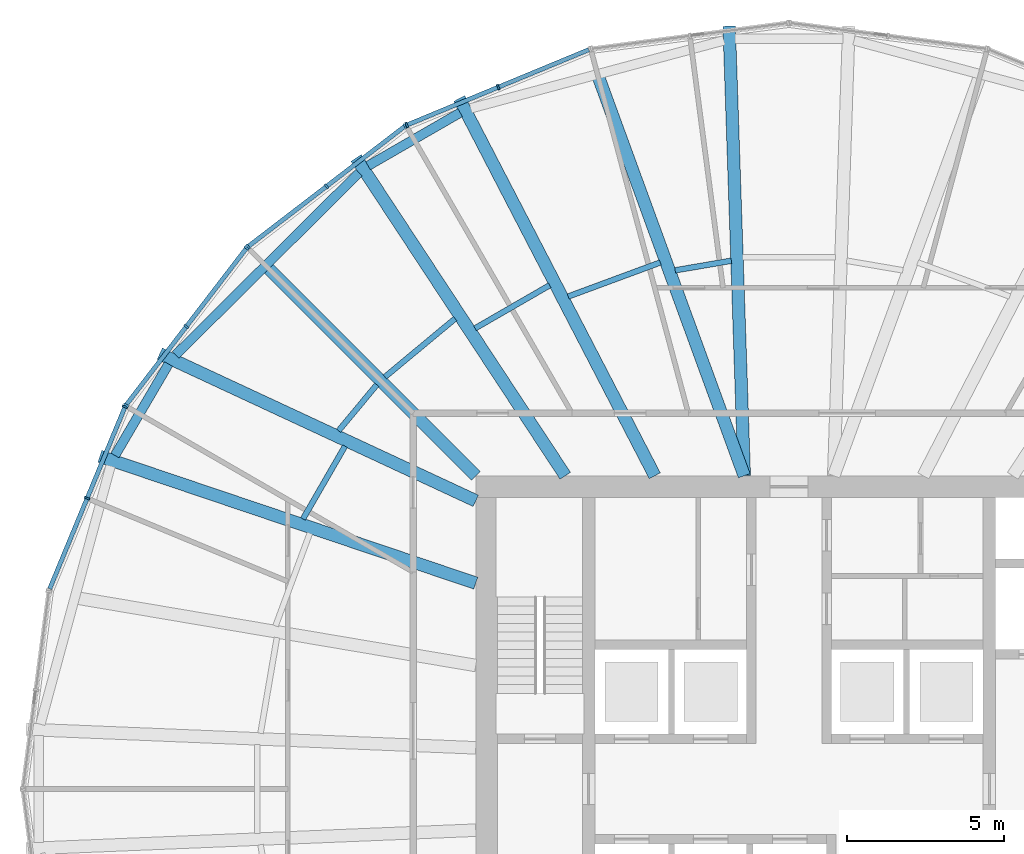
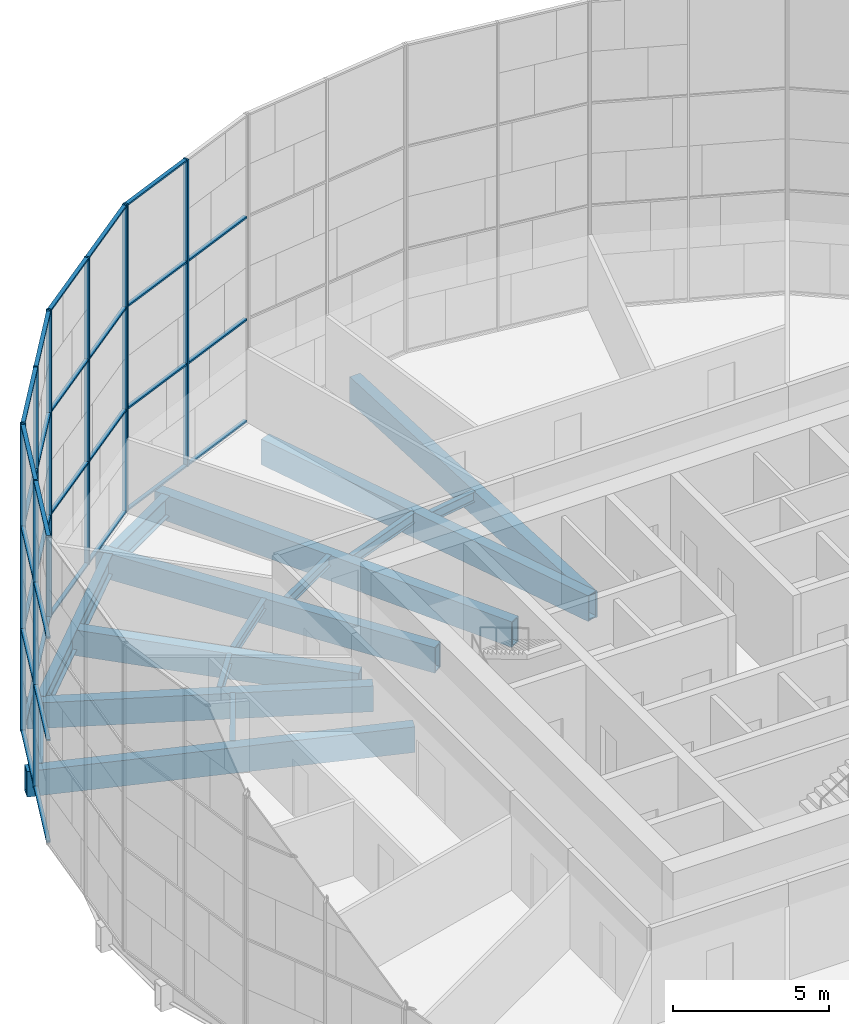
# One storey, part 6 of 22: 41 members, 16 beams, 4 elements without a shape of their own.
"""IFC4 building model written with IfcOpenShell, lengths in metres."""

import ifcopenshell
import ifcopenshell.guid

model = None  # the IFC model being written
_history = None  # IfcOwnerHistory: only IFC2X3 demands one
_inside = {}  # id of a spatial element -> (the spatial element, [elements in it])
_under = {}  # id of a project, library or spatial element -> (it, [spatial elements below it])
_declared = {}  # id of a project -> (the project, [libraries it declares])
_typed = {}  # id of a type object -> (the type object, [elements of that type])
_made_of = {}  # id of a material, layer set ... -> (it, [elements and type objects made of it])


def new_model(schema):
    """Start an empty IFC model of exactly this schema.

    Asked for "IFC4X3", IfcOpenShell would pick the latest addendum, in which some entities
    have other attributes; the version numbers below select the first issue.
    IFC2X3 requires an IfcOwnerHistory on every rooted entity: one is made here for all.
    """
    global model, _history
    if schema == "IFC4X3":
        model = ifcopenshell.file(schema_version=(4, 3, 0, 0))
    else:
        model = ifcopenshell.file(schema=schema)
    _inside.clear()
    _under.clear()
    _declared.clear()
    _typed.clear()
    _made_of.clear()
    _history = None
    if model.schema == "IFC2X3":
        org = make("IfcOrganization", Name="unknown")
        user = make(
            "IfcPersonAndOrganization",
            ThePerson=make("IfcPerson", FamilyName="unknown"),
            TheOrganization=org,
        )
        app = make(
            "IfcApplication",
            ApplicationDeveloper=org,
            Version="unknown",
            ApplicationFullName="unknown",
            ApplicationIdentifier="unknown",
        )
        _history = make(
            "IfcOwnerHistory",
            OwningUser=user,
            OwningApplication=app,
            ChangeAction="ADDED",
            CreationDate=0,
        )
    return model


def make(cls, **values):
    """One entity of the class cls with the attributes given. An attribute that is None is left unset."""
    return model.create_entity(
        cls, **{name: value for name, value in values.items() if value is not None}
    )


def rooted(cls, **values):
    """An entity with a GlobalId (a new one), such as an element, a storey or a relation."""
    return make(cls, GlobalId=ifcopenshell.guid.new(), OwnerHistory=_history, **values)


def si_unit(unit_type, name, prefix=None):
    """IfcSIUnit, for example si_unit("LENGTHUNIT", "METRE", prefix="MILLI")."""
    return make("IfcSIUnit", UnitType=unit_type, Prefix=prefix, Name=name)


def assignment(units):
    """IfcUnitAssignment: the units of a project."""
    return None if units is None else make("IfcUnitAssignment", Units=units)


def point(xyz):
    """IfcCartesianPoint."""
    return None if xyz is None else make("IfcCartesianPoint", Coordinates=xyz)


def direction(xyz):
    """IfcDirection."""
    return None if xyz is None else make("IfcDirection", DirectionRatios=xyz)


def frame(location, z_axis=None, x_axis=None):
    """IfcAxis2Placement3D, a coordinate frame: its origin and axes. An axis left out is left unset."""
    return make(
        "IfcAxis2Placement3D",
        Location=point(location),
        Axis=direction(z_axis),
        RefDirection=direction(x_axis),
    )


def frame_2d(location, x_axis=None):
    """IfcAxis2Placement2D, a coordinate frame in the plane: its origin and x axis."""
    return make(
        "IfcAxis2Placement2D", Location=point(location), RefDirection=direction(x_axis)
    )


def origin():
    """The frame at (0, 0, 0) with its axes left unset."""
    return frame((0.0, 0.0, 0.0))


def origin_2d():
    """The frame at (0, 0) in the plane with its x axis left unset."""
    return frame_2d((0.0, 0.0))


def place(relative_to, where):
    """IfcLocalPlacement: puts the frame where relative to a parent placement (None: the world)."""
    return make(
        "IfcLocalPlacement", PlacementRelTo=relative_to, RelativePlacement=where
    )


def context(
    kind, dimensions, precision=None, world=None, true_north=None, identifier=None
):
    """IfcGeometricRepresentationContext, for example the 3D "Model" context."""
    return make(
        "IfcGeometricRepresentationContext",
        ContextIdentifier=identifier,
        ContextType=kind,
        CoordinateSpaceDimension=dimensions,
        Precision=precision,
        WorldCoordinateSystem=world,
        TrueNorth=true_north,
    )


def subcontext(parent, identifier, kind, view, scale=None):
    """IfcGeometricRepresentationSubContext, for example "Body" below "Model"."""
    return make(
        "IfcGeometricRepresentationSubContext",
        ContextIdentifier=identifier,
        ContextType=kind,
        ParentContext=parent,
        TargetScale=scale,
        TargetView=view,
    )


def project(units=None, contexts=None):
    """IfcProject with its units and contexts."""
    return rooted(
        "IfcProject",
        Name="project",
        RepresentationContexts=contexts,
        UnitsInContext=assignment(units),
    )


def spatial(cls, under=None, at=None, **own):
    """A site, building, storey or space (cls), placed at a placement, below another one or the project."""
    s = rooted(cls, ObjectPlacement=at, **own)
    if under is not None:
        _under.setdefault(under.id(), (under, []))[1].append(s)
    return s


def profile(cls, at=None, kind="AREA", **sizes):
    """A parametric profile (cls). Its sizes go by their IFC names, for example OverallWidth=200.0."""
    return make(cls, ProfileType=kind, Position=at, **sizes)


def rectangle(**sizes):
    """IfcRectangleProfileDef."""
    return profile("IfcRectangleProfileDef", **sizes)


def hollow_rectangle(**sizes):
    """IfcRectangleHollowProfileDef."""
    return profile("IfcRectangleHollowProfileDef", **sizes)


def i_section(**sizes):
    """IfcIShapeProfileDef."""
    return profile("IfcIShapeProfileDef", **sizes)


def extrude(swept, where, along, depth):
    """IfcExtrudedAreaSolid: the profile swept, set in the frame where, extruded along a direction by depth."""
    return make(
        "IfcExtrudedAreaSolid",
        SweptArea=swept,
        Position=where,
        ExtrudedDirection=direction(along),
        Depth=depth,
    )


def shape(context_of_items, identifier, shape_type, items):
    """IfcShapeRepresentation: the items that make up one representation, for example the "Body"."""
    return make(
        "IfcShapeRepresentation",
        ContextOfItems=context_of_items,
        RepresentationIdentifier=identifier,
        RepresentationType=shape_type,
        Items=items,
    )


def material(Name=None, Category=None):
    """IfcMaterial."""
    return make("IfcMaterial", Name=Name, Category=Category)


def material_profile(
    of_material, cross_section, Name=None, Category=None, Priority=None
):
    """IfcMaterialProfile: a cross section and its material."""
    return make(
        "IfcMaterialProfile",
        Name=Name,
        Material=of_material,
        Profile=cross_section,
        Priority=Priority,
        Category=Category,
    )


def profile_set(profiles, Name=None, composite=None):
    """IfcMaterialProfileSet."""
    return make(
        "IfcMaterialProfileSet",
        Name=Name,
        MaterialProfiles=profiles,
        CompositeProfile=composite,
    )


def made_of(thing, what):
    """Note that an element or type object is made of a material, layer set ...; save() writes the relation."""
    if what is not None:
        _made_of.setdefault(what.id(), (what, []))[1].append(thing)
    return thing


def type_object(cls, material=None, **own):
    """A type object (cls), such as IfcWallType, which elements share."""
    return made_of(rooted(cls, **own), material)


def element(
    cls,
    number,
    at=None,
    inside=None,
    cuts=None,
    type_object=None,
    material=None,
    context=None,
    identifier="Body",
    shape_type=None,
    held_by="IfcProductDefinitionShape",
    body=None,
    shapes=None,
    **own,
):
    """One element of the class cls, such as IfcWall. Its Tag is "e" and its number.

    at: its placement. inside: the storey or other place that contains it. cuts: it is an
    opening in that element (IfcRelVoidsElement). A single representation is given by context,
    identifier, shape_type and body (its items); several are given by shapes. held_by: the class
    of the entity that holds the representations. save() writes the other relations.
    """
    e = rooted(cls, Tag="e%d" % number, ObjectPlacement=at, **own)
    if body is not None:
        shapes = [shape(context, identifier, shape_type, body)]
    if shapes is not None:
        e.Representation = make(held_by, Representations=shapes)
    if inside is not None:
        _inside.setdefault(inside.id(), (inside, []))[1].append(e)
    if cuts is not None:
        rooted(
            "IfcRelVoidsElement", RelatingBuildingElement=cuts, RelatedOpeningElement=e
        )
    if type_object is not None:
        _typed.setdefault(type_object.id(), (type_object, []))[1].append(e)
    return made_of(e, material)


def aggregate(whole, parts):
    """IfcRelAggregates: a whole, such as a stair, and the parts it consists of."""
    return rooted("IfcRelAggregates", RelatingObject=whole, RelatedObjects=parts)


def save(model, path):
    """Write the relations noted so far, then the file.

    IfcRelAggregates (storeys below a building ...), IfcRelContainedInSpatialStructure (elements
    in a storey), IfcRelDefinesByType, IfcRelAssociatesMaterial and IfcRelDeclares: one each for
    every whole, place, type object, material and project.
    """
    for whole, parts in _under.values():
        aggregate(whole, parts)
    for where, things in _inside.values():
        rooted(
            "IfcRelContainedInSpatialStructure",
            RelatedElements=things,
            RelatingStructure=where,
        )
    for kind, things in _typed.values():
        rooted("IfcRelDefinesByType", RelatedObjects=things, RelatingType=kind)
    for what, things in _made_of.values():
        rooted("IfcRelAssociatesMaterial", RelatedObjects=things, RelatingMaterial=what)
    for by, libraries in _declared.values():
        rooted("IfcRelDeclares", RelatingContext=by, RelatedDefinitions=libraries)
    model.write(path)


model = new_model("IFC4")

# Units and contexts
model_context = context("Model", 3, precision=1e-05, world=origin(), true_north=direction((0.0, 1.0)))
body_context = subcontext(model_context, "Body", "Model", "MODEL_VIEW")
ifc_project = project(units=[si_unit("LENGTHUNIT", "METRE"), si_unit("AREAUNIT", "SQUARE_METRE"), si_unit("VOLUMEUNIT", "CUBIC_METRE"), si_unit("PLANEANGLEUNIT", "RADIAN"), si_unit("MASSUNIT", "GRAM", prefix="KILO")], contexts=[model_context])

# Site, building, storey
site_placement = place(None, origin())
site = spatial("IfcSite", under=ifc_project, at=site_placement, CompositionType="ELEMENT")
building_placement = place(site_placement, origin())
building = spatial("IfcBuilding", under=site, at=building_placement, Name="Golbaran Civic Tower", CompositionType="ELEMENT")
storey_placement = place(building_placement, frame((0.0, 0.0, 90.0)))
storey = spatial("IfcBuildingStorey", under=building, at=storey_placement, Name="L21", CompositionType="ELEMENT", Elevation=90.0)

# Beams
ifc_material_1 = material(Name="Steel S355", Category="steel")
ifc_material_profile_1 = material_profile(ifc_material_1, i_section(OverallWidth=0.300048828125, OverallDepth=0.800048828125, WebThickness=0.017578125, FlangeThickness=0.032958984375, FilletRadius=0.030029296875, at=origin_2d()), Name="HEB 800")
ifc_profile_set_1 = profile_set([ifc_material_profile_1], Name="Steel S355")
beam_type_1 = type_object("IfcBeamType", Name="EDGE BEAM HEB 800", PredefinedType="BEAM", material=ifc_profile_set_1)
beam_1_placement = place(storey_placement, frame((-10.498291015625, 21.59130859375, -0.60009765625), z_axis=(-0.866177202748, -0.499736984262, 0.0), x_axis=(0.499736984262, -0.866177202748, 0.0)))
element("IfcBeam", 1, at=beam_1_placement, inside=storey, type_object=beam_type_1, Name="Edge beam 115.58 L21", PredefinedType="BEAM", context=body_context, shape_type="SweptSolid", body=[
    extrude(i_section(OverallWidth=0.300048828125, OverallDepth=0.800048828125, WebThickness=0.017578125, FlangeThickness=0.032958984375, FilletRadius=0.030029296875, at=origin_2d()), origin(), (0.0, 0.0, 1.0), 3.393798828125),
])
beam_2_placement = place(storey_placement, frame((-13.724365234375, 19.67578125, -0.60009765625), z_axis=(-0.709410042226, -0.704795993171, 0.0), x_axis=(0.704795993171, -0.709410042226, 0.0)))
element("IfcBeam", 2, at=beam_2_placement, inside=storey, type_object=beam_type_1, Name="Edge beam 124.42 L21", PredefinedType="BEAM", context=body_context, shape_type="SweptSolid", body=[
    extrude(i_section(OverallWidth=0.300048828125, OverallDepth=0.800048828125, WebThickness=0.017578125, FlangeThickness=0.032958984375, FilletRadius=0.030029296875, at=origin_2d()), origin(), (0.0, 0.0, 1.0), 8.25439453125),
])
beam_3_placement = place(storey_placement, frame((-19.807373046875, 13.56689453125, -0.60009765625), z_axis=(-0.50551208976, -0.862819521746, 0.0), x_axis=(0.862819521746, -0.50551208976, 0.0)))
element("IfcBeam", 3, at=beam_3_placement, inside=storey, type_object=beam_type_1, Name="Edge beam 145.58 L21", PredefinedType="BEAM", context=body_context, shape_type="SweptSolid", body=[
    extrude(i_section(OverallWidth=0.300048828125, OverallDepth=0.800048828125, WebThickness=0.017578125, FlangeThickness=0.032958984375, FilletRadius=0.030029296875, at=origin_2d()), origin(), (0.0, 0.0, 1.0), 3.383544921875),
])
ifc_material_profile_2 = material_profile(ifc_material_1, i_section(OverallWidth=0.179931640625, OverallDepth=0.39990234375, WebThickness=0.008544921875, FlangeThickness=0.013427734375, FilletRadius=0.02099609375, at=origin_2d()), Name="IPE 400")
ifc_profile_set_2 = profile_set([ifc_material_profile_2], Name="Steel S355")
beam_type_2 = type_object("IfcBeamType", Name="FLOOR INFILL BEAM IPE 400", PredefinedType="BEAM", material=ifc_profile_set_2)
beam_4_placement = place(storey_placement, frame((-1.839111328125, 16.865234375, -0.39990234375), z_axis=(-0.98567832971, -0.168636384982, 0.0), x_axis=(0.168636384982, -0.98567832971, 0.0)))
element("IfcBeam", 4, at=beam_4_placement, inside=storey, type_object=beam_type_2, Name="Infill beam 99.71 L21", PredefinedType="BEAM", context=body_context, shape_type="SweptSolid", body=[
    extrude(i_section(OverallWidth=0.179931640625, OverallDepth=0.39990234375, WebThickness=0.008544921875, FlangeThickness=0.013427734375, FilletRadius=0.02099609375, at=origin_2d()), origin(), (0.0, 0.0, 1.0), 1.8212890625),
])
beam_5_placement = place(storey_placement, frame((-4.109375, 16.809326171875, -0.39990234375), z_axis=(-0.937944946175, -0.346784195061, 0.0), x_axis=(0.346784195061, -0.937944946175, 0.0)))
element("IfcBeam", 5, at=beam_5_placement, inside=storey, type_object=beam_type_2, Name="Infill beam 110.29 L21", PredefinedType="BEAM", context=body_context, shape_type="SweptSolid", body=[
    extrude(i_section(OverallWidth=0.179931640625, OverallDepth=0.39990234375, WebThickness=0.008544921875, FlangeThickness=0.013427734375, FilletRadius=0.02099609375, at=origin_2d()), origin(), (0.0, 0.0, 1.0), 3.135009765625),
])
beam_6_placement = place(storey_placement, frame((-7.6416015625, 16.081298828125, -0.39990234375), z_axis=(-0.866033343297, -0.499986248108, 0.0), x_axis=(0.499986248108, -0.866033343297, 0.0)))
element("IfcBeam", 6, at=beam_6_placement, inside=storey, type_object=beam_type_2, Name="Infill beam 120.00 L21", PredefinedType="BEAM", context=body_context, shape_type="SweptSolid", body=[
    extrude(i_section(OverallWidth=0.179931640625, OverallDepth=0.39990234375, WebThickness=0.008544921875, FlangeThickness=0.013427734375, FilletRadius=0.02099609375, at=origin_2d()), origin(), (0.0, 0.0, 1.0), 2.75048828125),
])
beam_7_placement = place(storey_placement, frame((-10.658935546875, 15.016357421875, -0.39990234375), z_axis=(-0.769325958609, -0.638856454464, 0.0), x_axis=(0.638856454464, -0.769325958609, 0.0)))
element("IfcBeam", 7, at=beam_7_placement, inside=storey, type_object=beam_type_2, Name="Infill beam 129.71 L21", PredefinedType="BEAM", context=body_context, shape_type="SweptSolid", body=[
    extrude(i_section(OverallWidth=0.179931640625, OverallDepth=0.39990234375, WebThickness=0.008544921875, FlangeThickness=0.013427734375, FilletRadius=0.02099609375, at=origin_2d()), origin(), (0.0, 0.0, 1.0), 2.91357421875),
])
beam_8_placement = place(storey_placement, frame((-13.159912109375, 12.905517578125, -0.39990234375), z_axis=(-0.638925380548, -0.769268716439, 0.0), x_axis=(0.769268716439, -0.638925380548, 0.0)))
element("IfcBeam", 8, at=beam_8_placement, inside=storey, type_object=beam_type_2, Name="Infill beam 140.29 L21", PredefinedType="BEAM", context=body_context, shape_type="SweptSolid", body=[
    extrude(i_section(OverallWidth=0.179931640625, OverallDepth=0.39990234375, WebThickness=0.008544921875, FlangeThickness=0.013427734375, FilletRadius=0.02099609375, at=origin_2d()), origin(), (0.0, 0.0, 1.0), 1.90869140625),
])
beam_9_placement = place(storey_placement, frame((-14.174560546875, 10.94482421875, -0.39990234375), z_axis=(-0.500045531117, -0.865999114786, 0.0), x_axis=(0.865999114786, -0.500045531117, 0.0)))
element("IfcBeam", 9, at=beam_9_placement, inside=storey, type_object=beam_type_2, Name="Infill beam 150.00 L21", PredefinedType="BEAM", context=body_context, shape_type="SweptSolid", body=[
    extrude(i_section(OverallWidth=0.179931640625, OverallDepth=0.39990234375, WebThickness=0.008544921875, FlangeThickness=0.013427734375, FilletRadius=0.02099609375, at=origin_2d()), origin(), (0.0, 0.0, 1.0), 2.681884765625),
])

# Curtain wall, members
ifc_material_2 = material(Name="Aluminium and glass", Category="aluminium")
curtain_wall_type = type_object("IfcCurtainWallType", Name="INNER SKIN CURTAIN WALL", PredefinedType="NOTDEFINED", material=ifc_material_2)
curtain_wall_1_placement = place(storey_placement, origin())
curtain_wall_1 = element("IfcCurtainWall", 10, at=curtain_wall_1_placement, inside=storey, type_object=curtain_wall_type, Name="Inner skin L21 facet 8 CW1", ObjectType="INNER SKIN", PredefinedType="USERDEFINED")
ifc_material_3 = material(Name="Aluminium", Category="aluminium")
ifc_material_profile_3 = material_profile(ifc_material_3, rectangle(XDim=0.179931640625, YDim=0.06494140625, at=origin_2d()), Name="INNER SKIN CURTAIN WALL MULLION")
ifc_profile_set_3 = profile_set([ifc_material_profile_3], Name="Aluminium")
member_type_1 = type_object("IfcMemberType", Name="INNER SKIN CURTAIN WALL MULLION", PredefinedType="MULLION", material=ifc_profile_set_3)
member_1_placement = place(storey_placement, frame((-9.28076171875, 22.40576171875, 0.0), z_axis=(0.0, 0.0, 1.0), x_axis=(0.382683432365, -0.923879532511, 0.0)))
member_1 = element("IfcMember", 11, at=member_1_placement, type_object=member_type_1, Name="CW1 mullion 2", PredefinedType="MULLION", context=body_context, shape_type="SweptSolid", body=[
    extrude(rectangle(XDim=0.179931640625, YDim=0.06494140625, at=origin_2d()), origin(), (0.0, 0.0, 1.0), 12.0),
])
member_2_placement = place(storey_placement, frame((-12.200439453125, 21.1962890625, 0.0), z_axis=(0.0, 0.0, 1.0), x_axis=(0.382683432365, -0.923879532511, 0.0)))
member_2 = element("IfcMember", 12, at=member_2_placement, type_object=member_type_1, Name="CW1 mullion 3", PredefinedType="MULLION", context=body_context, shape_type="SweptSolid", body=[
    extrude(rectangle(XDim=0.179931640625, YDim=0.06494140625, at=origin_2d()), origin(), (0.0, 0.0, 1.0), 12.0),
])

curtain_wall_2_placement = place(storey_placement, origin())
curtain_wall_2 = element("IfcCurtainWall", 13, at=curtain_wall_2_placement, inside=storey, type_object=curtain_wall_type, Name="Inner skin L21 facet 9 CW1", ObjectType="INNER SKIN", PredefinedType="USERDEFINED")
member_3_placement = place(storey_placement, frame((-12.25634765625, 21.1640625, 0.0), z_axis=(0.0, 0.0, 1.0), x_axis=(0.608761428939, -0.793353340344, 0.0)))
member_3 = element("IfcMember", 14, at=member_3_placement, type_object=member_type_1, Name="CW1 mullion 1", PredefinedType="MULLION", context=body_context, shape_type="SweptSolid", body=[
    extrude(rectangle(XDim=0.179931640625, YDim=0.06494140625, at=origin_2d()), origin(), (0.0, 0.0, 1.0), 12.0),
])
member_4_placement = place(storey_placement, frame((-14.763427734375, 19.240234375, 0.0), z_axis=(0.0, 0.0, 1.0), x_axis=(0.608761428939, -0.793353340344, 0.0)))
member_4 = element("IfcMember", 15, at=member_4_placement, type_object=member_type_1, Name="CW1 mullion 2", PredefinedType="MULLION", context=body_context, shape_type="SweptSolid", body=[
    extrude(rectangle(XDim=0.179931640625, YDim=0.06494140625, at=origin_2d()), origin(), (0.0, 0.0, 1.0), 12.0),
])
member_5_placement = place(storey_placement, frame((-17.270751953125, 17.31640625, 0.0), z_axis=(0.0, 0.0, 1.0), x_axis=(0.608761428939, -0.793353340344, 0.0)))
member_5 = element("IfcMember", 16, at=member_5_placement, type_object=member_type_1, Name="CW1 mullion 3", PredefinedType="MULLION", context=body_context, shape_type="SweptSolid", body=[
    extrude(rectangle(XDim=0.179931640625, YDim=0.06494140625, at=origin_2d()), origin(), (0.0, 0.0, 1.0), 12.0),
])

curtain_wall_3_placement = place(storey_placement, origin())
curtain_wall_3 = element("IfcCurtainWall", 17, at=curtain_wall_3_placement, inside=storey, type_object=curtain_wall_type, Name="Inner skin L21 facet 10 CW1", ObjectType="INNER SKIN", PredefinedType="USERDEFINED")
member_6_placement = place(storey_placement, frame((-17.31640625, 17.270751953125, 0.0), z_axis=(0.0, 0.0, 1.0), x_axis=(0.793353340344, -0.608761428939, 0.0)))
member_6 = element("IfcMember", 18, at=member_6_placement, type_object=member_type_1, Name="CW1 mullion 1", PredefinedType="MULLION", context=body_context, shape_type="SweptSolid", body=[
    extrude(rectangle(XDim=0.179931640625, YDim=0.06494140625, at=origin_2d()), origin(), (0.0, 0.0, 1.0), 12.0),
])
member_7_placement = place(storey_placement, frame((-19.240234375, 14.763427734375, 0.0), z_axis=(0.0, 0.0, 1.0), x_axis=(0.793353340344, -0.608761428939, 0.0)))
member_7 = element("IfcMember", 19, at=member_7_placement, type_object=member_type_1, Name="CW1 mullion 2", PredefinedType="MULLION", context=body_context, shape_type="SweptSolid", body=[
    extrude(rectangle(XDim=0.179931640625, YDim=0.06494140625, at=origin_2d()), origin(), (0.0, 0.0, 1.0), 12.0),
])
member_8_placement = place(storey_placement, frame((-21.1640625, 12.25634765625, 0.0), z_axis=(0.0, 0.0, 1.0), x_axis=(0.793353340344, -0.608761428939, 0.0)))
member_8 = element("IfcMember", 20, at=member_8_placement, type_object=member_type_1, Name="CW1 mullion 3", PredefinedType="MULLION", context=body_context, shape_type="SweptSolid", body=[
    extrude(rectangle(XDim=0.179931640625, YDim=0.06494140625, at=origin_2d()), origin(), (0.0, 0.0, 1.0), 12.0),
])

curtain_wall_4_placement = place(storey_placement, origin())
curtain_wall_4 = element("IfcCurtainWall", 21, at=curtain_wall_4_placement, inside=storey, type_object=curtain_wall_type, Name="Inner skin L21 facet 11 CW1", ObjectType="INNER SKIN", PredefinedType="USERDEFINED")
member_9_placement = place(storey_placement, frame((-21.1962890625, 12.200439453125, 0.0), z_axis=(0.0, 0.0, 1.0), x_axis=(0.923879532511, -0.382683432365, 0.0)))
member_9 = element("IfcMember", 22, at=member_9_placement, type_object=member_type_1, Name="CW1 mullion 1", PredefinedType="MULLION", context=body_context, shape_type="SweptSolid", body=[
    extrude(rectangle(XDim=0.179931640625, YDim=0.06494140625, at=origin_2d()), origin(), (0.0, 0.0, 1.0), 12.0),
])
member_10_placement = place(storey_placement, frame((-22.40576171875, 9.28076171875, 0.0), z_axis=(0.0, 0.0, 1.0), x_axis=(0.923879532511, -0.382683432365, 0.0)))
member_10 = element("IfcMember", 23, at=member_10_placement, type_object=member_type_1, Name="CW1 mullion 2", PredefinedType="MULLION", context=body_context, shape_type="SweptSolid", body=[
    extrude(rectangle(XDim=0.179931640625, YDim=0.06494140625, at=origin_2d()), origin(), (0.0, 0.0, 1.0), 12.0),
])

# Member
ifc_material_profile_4 = material_profile(ifc_material_3, rectangle(XDim=0.139892578125, YDim=0.06494140625, at=origin_2d()), Name="INNER SKIN CURTAIN WALL TRANSOM")
ifc_profile_set_4 = profile_set([ifc_material_profile_4], Name="Aluminium")
member_type_2 = type_object("IfcMemberType", Name="INNER SKIN CURTAIN WALL TRANSOM", PredefinedType="USERDEFINED", material=ifc_profile_set_4)
member_11_placement = place(storey_placement, frame((-6.39111328125, 23.6025390625, 0.032470703125), z_axis=(-0.923898591316, -0.382637417099, 0.0), x_axis=(0.382637417099, -0.923898591316, 0.0)))
member_11 = element("IfcMember", 24, at=member_11_placement, type_object=member_type_2, Name="CW1 transom 1.1", ObjectType="TRANSOM", PredefinedType="USERDEFINED", context=body_context, shape_type="SweptSolid", body=[
    extrude(rectangle(XDim=0.139892578125, YDim=0.06494140625, at=origin_2d()), origin(), (0.0, 0.0, 1.0), 3.09521484375),
])

member_12_placement = place(storey_placement, frame((-6.39111328125, 23.6025390625, 4.0), z_axis=(-0.923898591316, -0.382637417099, 0.0), x_axis=(0.382637417099, -0.923898591316, 0.0)))
member_12 = element("IfcMember", 25, at=member_12_placement, type_object=member_type_2, Name="CW1 transom 1.2", ObjectType="TRANSOM", PredefinedType="USERDEFINED", context=body_context, shape_type="SweptSolid", body=[
    extrude(rectangle(XDim=0.139892578125, YDim=0.06494140625, at=origin_2d()), origin(), (0.0, 0.0, 1.0), 3.09521484375),
])

member_13_placement = place(storey_placement, frame((-6.39111328125, 23.6025390625, 8.0), z_axis=(-0.923898591316, -0.382637417099, 0.0), x_axis=(0.382637417099, -0.923898591316, 0.0)))
member_13 = element("IfcMember", 26, at=member_13_placement, type_object=member_type_2, Name="CW1 transom 1.3", ObjectType="TRANSOM", PredefinedType="USERDEFINED", context=body_context, shape_type="SweptSolid", body=[
    extrude(rectangle(XDim=0.139892578125, YDim=0.06494140625, at=origin_2d()), origin(), (0.0, 0.0, 1.0), 3.09521484375),
])

member_14_placement = place(storey_placement, frame((-9.310791015625, 22.393310546875, 0.032470703125), z_axis=(-0.923870704881, -0.382704743455, 0.0), x_axis=(0.382704743455, -0.923870704881, 0.0)))
member_14 = element("IfcMember", 27, at=member_14_placement, type_object=member_type_2, Name="CW1 transom 2.1", ObjectType="TRANSOM", PredefinedType="USERDEFINED", context=body_context, shape_type="SweptSolid", body=[
    extrude(rectangle(XDim=0.139892578125, YDim=0.06494140625, at=origin_2d()), origin(), (0.0, 0.0, 1.0), 3.09521484375),
])

member_15_placement = place(storey_placement, frame((-9.310791015625, 22.393310546875, 4.0), z_axis=(-0.923870704881, -0.382704743455, 0.0), x_axis=(0.382704743455, -0.923870704881, 0.0)))
member_15 = element("IfcMember", 28, at=member_15_placement, type_object=member_type_2, Name="CW1 transom 2.2", ObjectType="TRANSOM", PredefinedType="USERDEFINED", context=body_context, shape_type="SweptSolid", body=[
    extrude(rectangle(XDim=0.139892578125, YDim=0.06494140625, at=origin_2d()), origin(), (0.0, 0.0, 1.0), 3.09521484375),
])

member_16_placement = place(storey_placement, frame((-9.310791015625, 22.393310546875, 8.0), z_axis=(-0.923870704881, -0.382704743455, 0.0), x_axis=(0.382704743455, -0.923870704881, 0.0)))
member_16 = element("IfcMember", 29, at=member_16_placement, type_object=member_type_2, Name="CW1 transom 2.3", ObjectType="TRANSOM", PredefinedType="USERDEFINED", context=body_context, shape_type="SweptSolid", body=[
    extrude(rectangle(XDim=0.139892578125, YDim=0.06494140625, at=origin_2d()), origin(), (0.0, 0.0, 1.0), 3.09521484375),
])

member_17_placement = place(storey_placement, frame((-9.310791015625, 22.393310546875, 11.967529296875), z_axis=(-0.923870704881, -0.382704743455, 0.0), x_axis=(0.382704743455, -0.923870704881, 0.0)))
member_17 = element("IfcMember", 30, at=member_17_placement, type_object=member_type_2, Name="CW1 transom 2.4", ObjectType="TRANSOM", PredefinedType="USERDEFINED", context=body_context, shape_type="SweptSolid", body=[
    extrude(rectangle(XDim=0.139892578125, YDim=0.06494140625, at=origin_2d()), origin(), (0.0, 0.0, 1.0), 3.09521484375),
])

aggregate(curtain_wall_1, [member_1, member_2, member_11, member_12, member_13, member_14, member_15, member_16, member_17])

member_18_placement = place(storey_placement, frame((-12.281982421875, 21.144287109375, 0.032470703125), z_axis=(-0.793373992404, -0.608734513706, 0.0), x_axis=(0.608734513706, -0.793373992404, 0.0)))
member_18 = element("IfcMember", 31, at=member_18_placement, type_object=member_type_2, Name="CW1 transom 1.1", ObjectType="TRANSOM", PredefinedType="USERDEFINED", context=body_context, shape_type="SweptSolid", body=[
    extrude(rectangle(XDim=0.139892578125, YDim=0.06494140625, at=origin_2d()), origin(), (0.0, 0.0, 1.0), 3.095458984375),
])

member_19_placement = place(storey_placement, frame((-12.281982421875, 21.144287109375, 4.0), z_axis=(-0.793373992404, -0.608734513706, 0.0), x_axis=(0.608734513706, -0.793373992404, 0.0)))
member_19 = element("IfcMember", 32, at=member_19_placement, type_object=member_type_2, Name="CW1 transom 1.2", ObjectType="TRANSOM", PredefinedType="USERDEFINED", context=body_context, shape_type="SweptSolid", body=[
    extrude(rectangle(XDim=0.139892578125, YDim=0.06494140625, at=origin_2d()), origin(), (0.0, 0.0, 1.0), 3.095458984375),
])

member_20_placement = place(storey_placement, frame((-12.281982421875, 21.144287109375, 8.0), z_axis=(-0.793373992404, -0.608734513706, 0.0), x_axis=(0.608734513706, -0.793373992404, 0.0)))
member_20 = element("IfcMember", 33, at=member_20_placement, type_object=member_type_2, Name="CW1 transom 1.3", ObjectType="TRANSOM", PredefinedType="USERDEFINED", context=body_context, shape_type="SweptSolid", body=[
    extrude(rectangle(XDim=0.139892578125, YDim=0.06494140625, at=origin_2d()), origin(), (0.0, 0.0, 1.0), 3.095458984375),
])

member_21_placement = place(storey_placement, frame((-12.281982421875, 21.144287109375, 11.967529296875), z_axis=(-0.793373992404, -0.608734513706, 0.0), x_axis=(0.608734513706, -0.793373992404, 0.0)))
member_21 = element("IfcMember", 34, at=member_21_placement, type_object=member_type_2, Name="CW1 transom 1.4", ObjectType="TRANSOM", PredefinedType="USERDEFINED", context=body_context, shape_type="SweptSolid", body=[
    extrude(rectangle(XDim=0.139892578125, YDim=0.06494140625, at=origin_2d()), origin(), (0.0, 0.0, 1.0), 3.095458984375),
])

member_22_placement = place(storey_placement, frame((-14.789306640625, 19.220458984375, 0.032470703125), z_axis=(-0.793344763013, -0.608772606973, 0.0), x_axis=(0.608772606973, -0.793344763013, 0.0)))
member_22 = element("IfcMember", 35, at=member_22_placement, type_object=member_type_2, Name="CW1 transom 2.1", ObjectType="TRANSOM", PredefinedType="USERDEFINED", context=body_context, shape_type="SweptSolid", body=[
    extrude(rectangle(XDim=0.139892578125, YDim=0.06494140625, at=origin_2d()), origin(), (0.0, 0.0, 1.0), 3.09521484375),
])

member_23_placement = place(storey_placement, frame((-14.789306640625, 19.220458984375, 4.0), z_axis=(-0.793344763013, -0.608772606973, 0.0), x_axis=(0.608772606973, -0.793344763013, 0.0)))
member_23 = element("IfcMember", 36, at=member_23_placement, type_object=member_type_2, Name="CW1 transom 2.2", ObjectType="TRANSOM", PredefinedType="USERDEFINED", context=body_context, shape_type="SweptSolid", body=[
    extrude(rectangle(XDim=0.139892578125, YDim=0.06494140625, at=origin_2d()), origin(), (0.0, 0.0, 1.0), 3.09521484375),
])

member_24_placement = place(storey_placement, frame((-14.789306640625, 19.220458984375, 8.0), z_axis=(-0.793344763013, -0.608772606973, 0.0), x_axis=(0.608772606973, -0.793344763013, 0.0)))
member_24 = element("IfcMember", 37, at=member_24_placement, type_object=member_type_2, Name="CW1 transom 2.3", ObjectType="TRANSOM", PredefinedType="USERDEFINED", context=body_context, shape_type="SweptSolid", body=[
    extrude(rectangle(XDim=0.139892578125, YDim=0.06494140625, at=origin_2d()), origin(), (0.0, 0.0, 1.0), 3.09521484375),
])

member_25_placement = place(storey_placement, frame((-14.789306640625, 19.220458984375, 11.967529296875), z_axis=(-0.793344763013, -0.608772606973, 0.0), x_axis=(0.608772606973, -0.793344763013, 0.0)))
member_25 = element("IfcMember", 38, at=member_25_placement, type_object=member_type_2, Name="CW1 transom 2.4", ObjectType="TRANSOM", PredefinedType="USERDEFINED", context=body_context, shape_type="SweptSolid", body=[
    extrude(rectangle(XDim=0.139892578125, YDim=0.06494140625, at=origin_2d()), origin(), (0.0, 0.0, 1.0), 3.09521484375),
])

aggregate(curtain_wall_2, [member_3, member_4, member_5, member_18, member_19, member_20, member_21, member_22, member_23, member_24, member_25])

member_26_placement = place(storey_placement, frame((-17.336181640625, 17.244873046875, 0.032470703125), z_axis=(-0.608772606973, -0.793344763013, 0.0), x_axis=(0.793344763013, -0.608772606973, 0.0)))
member_26 = element("IfcMember", 39, at=member_26_placement, type_object=member_type_2, Name="CW1 transom 1.1", ObjectType="TRANSOM", PredefinedType="USERDEFINED", context=body_context, shape_type="SweptSolid", body=[
    extrude(rectangle(XDim=0.139892578125, YDim=0.06494140625, at=origin_2d()), origin(), (0.0, 0.0, 1.0), 3.09521484375),
])

member_27_placement = place(storey_placement, frame((-17.336181640625, 17.244873046875, 4.0), z_axis=(-0.608772606973, -0.793344763013, 0.0), x_axis=(0.793344763013, -0.608772606973, 0.0)))
member_27 = element("IfcMember", 40, at=member_27_placement, type_object=member_type_2, Name="CW1 transom 1.2", ObjectType="TRANSOM", PredefinedType="USERDEFINED", context=body_context, shape_type="SweptSolid", body=[
    extrude(rectangle(XDim=0.139892578125, YDim=0.06494140625, at=origin_2d()), origin(), (0.0, 0.0, 1.0), 3.09521484375),
])

member_28_placement = place(storey_placement, frame((-17.336181640625, 17.244873046875, 8.0), z_axis=(-0.608772606973, -0.793344763013, 0.0), x_axis=(0.793344763013, -0.608772606973, 0.0)))
member_28 = element("IfcMember", 41, at=member_28_placement, type_object=member_type_2, Name="CW1 transom 1.3", ObjectType="TRANSOM", PredefinedType="USERDEFINED", context=body_context, shape_type="SweptSolid", body=[
    extrude(rectangle(XDim=0.139892578125, YDim=0.06494140625, at=origin_2d()), origin(), (0.0, 0.0, 1.0), 3.09521484375),
])

member_29_placement = place(storey_placement, frame((-17.336181640625, 17.244873046875, 11.967529296875), z_axis=(-0.608772606973, -0.793344763013, 0.0), x_axis=(0.793344763013, -0.608772606973, 0.0)))
member_29 = element("IfcMember", 42, at=member_29_placement, type_object=member_type_2, Name="CW1 transom 1.4", ObjectType="TRANSOM", PredefinedType="USERDEFINED", context=body_context, shape_type="SweptSolid", body=[
    extrude(rectangle(XDim=0.139892578125, YDim=0.06494140625, at=origin_2d()), origin(), (0.0, 0.0, 1.0), 3.09521484375),
])

member_30_placement = place(storey_placement, frame((-19.260009765625, 14.73779296875, 0.032470703125), z_axis=(-0.608734513706, -0.793373992404, 0.0), x_axis=(0.793373992404, -0.608734513706, 0.0)))
member_30 = element("IfcMember", 43, at=member_30_placement, type_object=member_type_2, Name="CW1 transom 2.1", ObjectType="TRANSOM", PredefinedType="USERDEFINED", context=body_context, shape_type="SweptSolid", body=[
    extrude(rectangle(XDim=0.139892578125, YDim=0.06494140625, at=origin_2d()), origin(), (0.0, 0.0, 1.0), 3.095458984375),
])

member_31_placement = place(storey_placement, frame((-19.260009765625, 14.73779296875, 4.0), z_axis=(-0.608734513706, -0.793373992404, 0.0), x_axis=(0.793373992404, -0.608734513706, 0.0)))
member_31 = element("IfcMember", 44, at=member_31_placement, type_object=member_type_2, Name="CW1 transom 2.2", ObjectType="TRANSOM", PredefinedType="USERDEFINED", context=body_context, shape_type="SweptSolid", body=[
    extrude(rectangle(XDim=0.139892578125, YDim=0.06494140625, at=origin_2d()), origin(), (0.0, 0.0, 1.0), 3.095458984375),
])

member_32_placement = place(storey_placement, frame((-19.260009765625, 14.73779296875, 8.0), z_axis=(-0.608734513706, -0.793373992404, 0.0), x_axis=(0.793373992404, -0.608734513706, 0.0)))
member_32 = element("IfcMember", 45, at=member_32_placement, type_object=member_type_2, Name="CW1 transom 2.3", ObjectType="TRANSOM", PredefinedType="USERDEFINED", context=body_context, shape_type="SweptSolid", body=[
    extrude(rectangle(XDim=0.139892578125, YDim=0.06494140625, at=origin_2d()), origin(), (0.0, 0.0, 1.0), 3.095458984375),
])

member_33_placement = place(storey_placement, frame((-19.260009765625, 14.73779296875, 11.967529296875), z_axis=(-0.608734513706, -0.793373992404, 0.0), x_axis=(0.793373992404, -0.608734513706, 0.0)))
member_33 = element("IfcMember", 46, at=member_33_placement, type_object=member_type_2, Name="CW1 transom 2.4", ObjectType="TRANSOM", PredefinedType="USERDEFINED", context=body_context, shape_type="SweptSolid", body=[
    extrude(rectangle(XDim=0.139892578125, YDim=0.06494140625, at=origin_2d()), origin(), (0.0, 0.0, 1.0), 3.095458984375),
])

aggregate(curtain_wall_3, [member_6, member_7, member_8, member_26, member_27, member_28, member_29, member_30, member_31, member_32, member_33])

member_34_placement = place(storey_placement, frame((-21.208740234375, 12.17041015625, 0.032470703125), z_axis=(-0.382704743455, -0.923870704881, 0.0), x_axis=(0.923870704881, -0.382704743455, 0.0)))
member_34 = element("IfcMember", 47, at=member_34_placement, type_object=member_type_2, Name="CW1 transom 1.1", ObjectType="TRANSOM", PredefinedType="USERDEFINED", context=body_context, shape_type="SweptSolid", body=[
    extrude(rectangle(XDim=0.139892578125, YDim=0.06494140625, at=origin_2d()), origin(), (0.0, 0.0, 1.0), 3.09521484375),
])

member_35_placement = place(storey_placement, frame((-21.208740234375, 12.17041015625, 4.0), z_axis=(-0.382704743455, -0.923870704881, 0.0), x_axis=(0.923870704881, -0.382704743455, 0.0)))
member_35 = element("IfcMember", 48, at=member_35_placement, type_object=member_type_2, Name="CW1 transom 1.2", ObjectType="TRANSOM", PredefinedType="USERDEFINED", context=body_context, shape_type="SweptSolid", body=[
    extrude(rectangle(XDim=0.139892578125, YDim=0.06494140625, at=origin_2d()), origin(), (0.0, 0.0, 1.0), 3.09521484375),
])

member_36_placement = place(storey_placement, frame((-21.208740234375, 12.17041015625, 8.0), z_axis=(-0.382704743455, -0.923870704881, 0.0), x_axis=(0.923870704881, -0.382704743455, 0.0)))
member_36 = element("IfcMember", 49, at=member_36_placement, type_object=member_type_2, Name="CW1 transom 1.3", ObjectType="TRANSOM", PredefinedType="USERDEFINED", context=body_context, shape_type="SweptSolid", body=[
    extrude(rectangle(XDim=0.139892578125, YDim=0.06494140625, at=origin_2d()), origin(), (0.0, 0.0, 1.0), 3.09521484375),
])

member_37_placement = place(storey_placement, frame((-21.208740234375, 12.17041015625, 11.967529296875), z_axis=(-0.382704743455, -0.923870704881, 0.0), x_axis=(0.923870704881, -0.382704743455, 0.0)))
member_37 = element("IfcMember", 50, at=member_37_placement, type_object=member_type_2, Name="CW1 transom 1.4", ObjectType="TRANSOM", PredefinedType="USERDEFINED", context=body_context, shape_type="SweptSolid", body=[
    extrude(rectangle(XDim=0.139892578125, YDim=0.06494140625, at=origin_2d()), origin(), (0.0, 0.0, 1.0), 3.09521484375),
])

member_38_placement = place(storey_placement, frame((-22.418212890625, 9.250732421875, 0.032470703125), z_axis=(-0.382637417099, -0.923898591316, 0.0), x_axis=(0.923898591316, -0.382637417099, 0.0)))
member_38 = element("IfcMember", 51, at=member_38_placement, type_object=member_type_2, Name="CW1 transom 2.1", ObjectType="TRANSOM", PredefinedType="USERDEFINED", context=body_context, shape_type="SweptSolid", body=[
    extrude(rectangle(XDim=0.139892578125, YDim=0.06494140625, at=origin_2d()), origin(), (0.0, 0.0, 1.0), 3.09521484375),
])

member_39_placement = place(storey_placement, frame((-22.418212890625, 9.250732421875, 4.0), z_axis=(-0.382637417099, -0.923898591316, 0.0), x_axis=(0.923898591316, -0.382637417099, 0.0)))
member_39 = element("IfcMember", 52, at=member_39_placement, type_object=member_type_2, Name="CW1 transom 2.2", ObjectType="TRANSOM", PredefinedType="USERDEFINED", context=body_context, shape_type="SweptSolid", body=[
    extrude(rectangle(XDim=0.139892578125, YDim=0.06494140625, at=origin_2d()), origin(), (0.0, 0.0, 1.0), 3.09521484375),
])

member_40_placement = place(storey_placement, frame((-22.418212890625, 9.250732421875, 8.0), z_axis=(-0.382637417099, -0.923898591316, 0.0), x_axis=(0.923898591316, -0.382637417099, 0.0)))
member_40 = element("IfcMember", 53, at=member_40_placement, type_object=member_type_2, Name="CW1 transom 2.3", ObjectType="TRANSOM", PredefinedType="USERDEFINED", context=body_context, shape_type="SweptSolid", body=[
    extrude(rectangle(XDim=0.139892578125, YDim=0.06494140625, at=origin_2d()), origin(), (0.0, 0.0, 1.0), 3.09521484375),
])

member_41_placement = place(storey_placement, frame((-22.418212890625, 9.250732421875, 11.967529296875), z_axis=(-0.382637417099, -0.923898591316, 0.0), x_axis=(0.923898591316, -0.382637417099, 0.0)))
member_41 = element("IfcMember", 54, at=member_41_placement, type_object=member_type_2, Name="CW1 transom 2.4", ObjectType="TRANSOM", PredefinedType="USERDEFINED", context=body_context, shape_type="SweptSolid", body=[
    extrude(rectangle(XDim=0.139892578125, YDim=0.06494140625, at=origin_2d()), origin(), (0.0, 0.0, 1.0), 3.09521484375),
])

aggregate(curtain_wall_4, [member_9, member_10, member_34, member_35, member_36, member_37, member_38, member_39, member_40, member_41])

# Beams
ifc_material_profile_5 = material_profile(ifc_material_1, hollow_rectangle(XDim=0.39990234375, YDim=1.0, WallThickness=0.050048828125, at=origin_2d()), Name="BOX 1000x400x50")
ifc_profile_set_5 = profile_set([ifc_material_profile_5], Name="Steel S355")
beam_type_3 = type_object("IfcBeamType", Name="RADIAL FLOOR BEAM BOX 1000x400x50", PredefinedType="BEAM", material=ifc_profile_set_5)
beam_10_placement = place(storey_placement, frame((-1.428466796875, 10.0, -0.7099609375), z_axis=(-0.033536117957, 0.999437506197, 0.0), x_axis=(-0.999437506197, -0.033536117957, 0.0)))
element("IfcBeam", 55, at=beam_10_placement, inside=storey, type_object=beam_type_3, Name="Radial beam 94.42 L21", PredefinedType="BEAM", context=body_context, shape_type="SweptSolid", body=[
    extrude(hollow_rectangle(XDim=0.39990234375, YDim=1.0, WallThickness=0.050048828125, at=origin_2d()), origin(), (0.0, 0.0, 1.0), 14.36328125),
])
beam_11_placement = place(storey_placement, frame((-4.28564453125, 10.0, -0.7099609375), z_axis=(-0.460280395556, 0.887773595838, 0.0), x_axis=(-0.887773595838, -0.460280395556, 0.0)))
element("IfcBeam", 56, at=beam_11_placement, inside=storey, type_object=beam_type_3, Name="Radial beam 115.58 L21", PredefinedType="BEAM", context=body_context, shape_type="SweptSolid", body=[
    extrude(hollow_rectangle(XDim=0.39990234375, YDim=1.0, WallThickness=0.050048828125, at=origin_2d()), origin(), (0.0, 0.0, 1.0), 13.56689453125),
])
beam_12_placement = place(storey_placement, frame((-7.142822265625, 10.0, -0.7099609375), z_axis=(-0.549647880779, 0.835396437121, 0.0), x_axis=(-0.835396437121, -0.549647880779, 0.0)))
element("IfcBeam", 57, at=beam_12_placement, inside=storey, type_object=beam_type_3, Name="Radial beam 124.42 L21", PredefinedType="BEAM", context=body_context, shape_type="SweptSolid", body=[
    extrude(hollow_rectangle(XDim=0.39990234375, YDim=1.0, WallThickness=0.050048828125, at=origin_2d()), origin(), (0.0, 0.0, 1.0), 12.14599609375),
])
beam_13_placement = place(storey_placement, frame((-10.0, 9.199951171875, -0.7099609375), z_axis=(-0.906581192846, 0.422031445247, 0.0), x_axis=(-0.422031445247, -0.906581192846, 0.0)))
element("IfcBeam", 58, at=beam_13_placement, inside=storey, type_object=beam_type_3, Name="Radial beam 145.58 L21", PredefinedType="BEAM", context=body_context, shape_type="SweptSolid", body=[
    extrude(hollow_rectangle(XDim=0.39990234375, YDim=1.0, WallThickness=0.050048828125, at=origin_2d()), origin(), (0.0, 0.0, 1.0), 11.129638671875),
])
beam_14_placement = place(storey_placement, frame((-10.0, 6.571533203125, -0.7099609375), z_axis=(-0.947528474415, 0.319671378408, 0.0), x_axis=(-0.319671378408, -0.947528474415, 0.0)))
element("IfcBeam", 59, at=beam_14_placement, inside=storey, type_object=beam_type_3, Name="Radial beam 154.42 L21", PredefinedType="BEAM", context=body_context, shape_type="SweptSolid", body=[
    extrude(hollow_rectangle(XDim=0.39990234375, YDim=1.0, WallThickness=0.050048828125, at=origin_2d()), origin(), (0.0, 0.0, 1.0), 12.668701171875),
])
ifc_material_profile_6 = material_profile(ifc_material_1, hollow_rectangle(XDim=0.39990234375, YDim=1.0, WallThickness=0.0400390625, at=origin_2d()), Name="BOX 1000x400x40")
ifc_profile_set_6 = profile_set([ifc_material_profile_6], Name="Steel S355")
beam_type_4 = type_object("IfcBeamType", Name="SECONDARY FLOOR BEAM BOX 1000x400x40", PredefinedType="BEAM", material=ifc_profile_set_6)
beam_15_placement = place(storey_placement, frame((-1.428466796875, 10.0, -0.7099609375), z_axis=(-0.343348670441, 0.939208012373, 0.0), x_axis=(-0.939208012373, -0.343348670441, 0.0)))
element("IfcBeam", 60, at=beam_15_placement, inside=storey, type_object=beam_type_4, Name="Secondary beam 105.00 L21", PredefinedType="BEAM", context=body_context, shape_type="SweptSolid", body=[
    extrude(hollow_rectangle(XDim=0.39990234375, YDim=1.0, WallThickness=0.0400390625, at=origin_2d()), origin(), (0.0, 0.0, 1.0), 13.645263671875),
])
beam_16_placement = place(storey_placement, frame((-10.0, 10.0, -0.7099609375), z_axis=(-0.707106781187, 0.707106781187, 0.0), x_axis=(-0.707106781187, -0.707106781187, 0.0)))
element("IfcBeam", 61, at=beam_16_placement, inside=storey, type_object=beam_type_4, Name="Secondary beam 135.00 L21", PredefinedType="BEAM", context=body_context, shape_type="SweptSolid", body=[
    extrude(hollow_rectangle(XDim=0.39990234375, YDim=1.0, WallThickness=0.0400390625, at=origin_2d()), origin(), (0.0, 0.0, 1.0), 9.489013671875),
])

save(model, "model.ifc")
